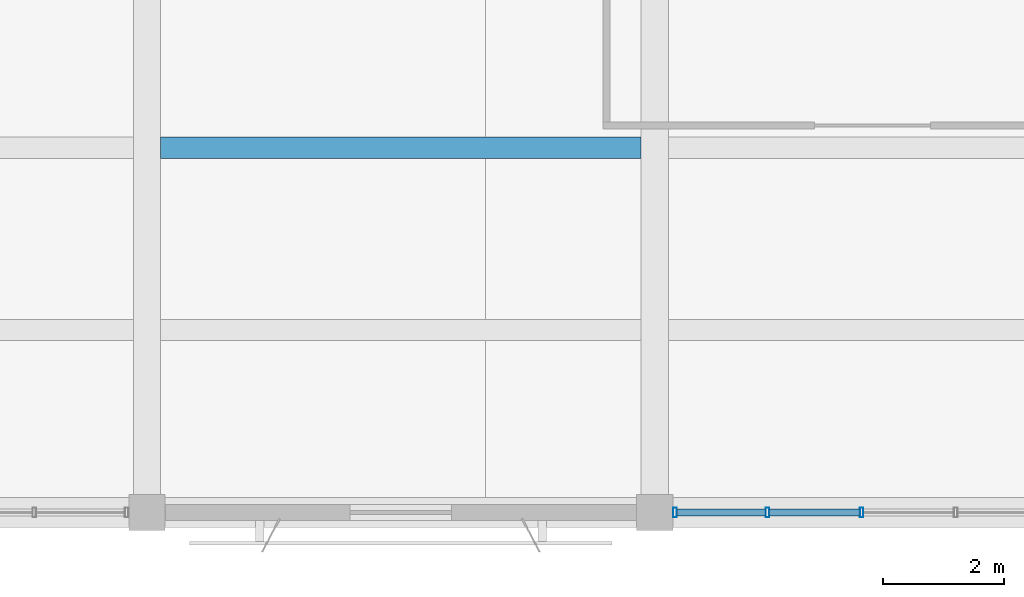
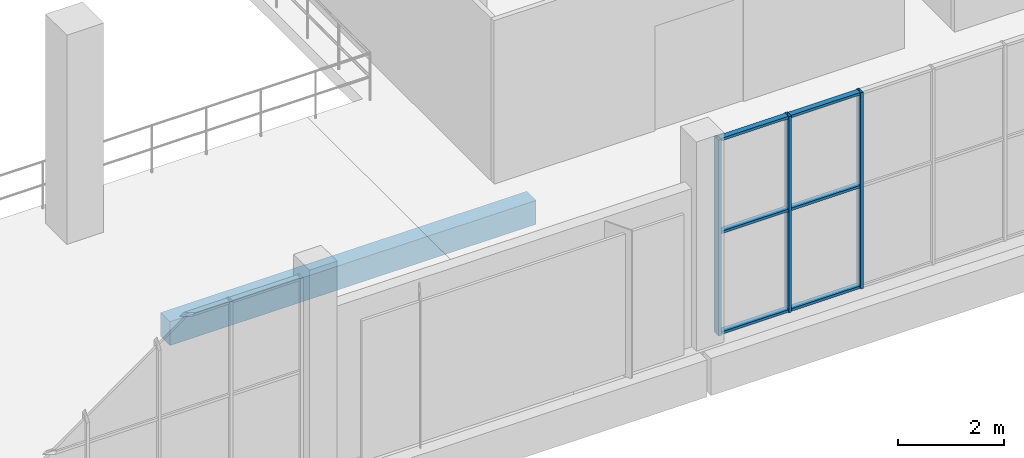
# One storey, part 16 of 80: 9 members, 1 beam, 1 element without a shape of its own.
"""IFC4 building model written with IfcOpenShell, lengths in metres."""

from ifc_helpers import new_model, si_unit, direction, frame, origin, origin_2d, place, context, subcontext, project, spatial, rectangle, hollow_rectangle, extrude, material, material_profile, profile_set, type_object, element, aggregate, save


model = new_model("IFC4")

# Units and contexts
model_context = context("Model", 3, precision=1e-05, world=origin(), true_north=direction((0.0, 1.0)))
body_context = subcontext(model_context, "Body", "Model", "MODEL_VIEW")
ifc_project = project(units=[si_unit("LENGTHUNIT", "METRE"), si_unit("AREAUNIT", "SQUARE_METRE"), si_unit("VOLUMEUNIT", "CUBIC_METRE"), si_unit("PLANEANGLEUNIT", "RADIAN"), si_unit("MASSUNIT", "GRAM", prefix="KILO")], contexts=[model_context])

# Site, building, storey
site_placement = place(None, origin())
site = spatial("IfcSite", under=ifc_project, at=site_placement, CompositionType="ELEMENT")
building_placement = place(site_placement, origin())
building = spatial("IfcBuilding", under=site, at=building_placement, Name="Khurvash Pelagic Aquarium", CompositionType="ELEMENT")
storey_placement = place(building_placement, frame((0.0, 0.0, 10.800048828125)))
storey = spatial("IfcBuildingStorey", under=building, at=storey_placement, Name="L02", CompositionType="ELEMENT", Elevation=10.800048828125)

# Curtain wall, members
ifc_material_1 = material(Name="Anodised aluminium and low-E laminated glass", Category="aluminium")
curtain_wall_type = type_object("IfcCurtainWallType", Name="CW-06", PredefinedType="USERDEFINED", material=ifc_material_1)
curtain_wall_placement = place(storey_placement, origin())
curtain_wall = element("IfcCurtainWall", 1, at=curtain_wall_placement, inside=storey, type_object=curtain_wall_type, Name="L02 Facade Unitised Curtain Wall CW-06 0155", ObjectType="UNITISED CURTAIN WALL", PredefinedType="USERDEFINED")
ifc_material_2 = material(Name="Extruded aluminium AW-6063-T6", Category="aluminium")
ifc_material_profile_1 = material_profile(ifc_material_2, hollow_rectangle(XDim=0.06005859375, YDim=0.159912109375, WallThickness=0.00390625, at=origin_2d()), Name="CWM60X160X4")
ifc_profile_set_1 = profile_set([ifc_material_profile_1], Name="Extruded aluminium AW-6063-T6")
member_type_1 = type_object("IfcMemberType", Name="CM-02", PredefinedType="MULLION", material=ifc_profile_set_1)
member_1_placement = place(storey_placement, frame((84.3349609375, 2.60009765625, 0.0), z_axis=(0.0, 0.0, 1.0), x_axis=(1.0, 0.0, 0.0)))
member_1 = element("IfcMember", 2, at=member_1_placement, type_object=member_type_1, Name="CW-06 mullion 1", PredefinedType="MULLION", context=body_context, shape_type="SweptSolid", body=[
    extrude(hollow_rectangle(XDim=0.06005859375, YDim=0.159912109375, WallThickness=0.00390625, at=origin_2d()), origin(), (0.0, 0.0, 1.0), 4.5),
])
member_2_placement = place(storey_placement, frame((85.863037109375, 2.60009765625, 0.0), z_axis=(0.0, 0.0, 1.0), x_axis=(1.0, 0.0, 0.0)))
member_2 = element("IfcMember", 3, at=member_2_placement, type_object=member_type_1, Name="CW-06 mullion 2", PredefinedType="MULLION", context=body_context, shape_type="SweptSolid", body=[
    extrude(hollow_rectangle(XDim=0.06005859375, YDim=0.159912109375, WallThickness=0.00390625, at=origin_2d()), origin(), (0.0, 0.0, 1.0), 4.5),
])
member_3_placement = place(storey_placement, frame((87.4208984375, 2.60009765625, 0.0), z_axis=(0.0, 0.0, 1.0), x_axis=(1.0, 0.0, 0.0)))
member_3 = element("IfcMember", 4, at=member_3_placement, type_object=member_type_1, Name="CW-06 mullion 3", PredefinedType="MULLION", context=body_context, shape_type="SweptSolid", body=[
    extrude(hollow_rectangle(XDim=0.06005859375, YDim=0.159912109375, WallThickness=0.00390625, at=origin_2d()), origin(), (0.0, 0.0, 1.0), 4.5),
])
ifc_material_profile_2 = material_profile(ifc_material_2, hollow_rectangle(XDim=0.1201171875, YDim=0.06005859375, WallThickness=0.00390625, at=origin_2d()), Name="CWT120X60X4")
ifc_profile_set_2 = profile_set([ifc_material_profile_2], Name="Extruded aluminium AW-6063-T6")
member_type_2 = type_object("IfcMemberType", Name="CT-02", PredefinedType="USERDEFINED", material=ifc_profile_set_2)
member_4_placement = place(storey_placement, frame((84.364990234375, 2.60009765625, 0.030029296875), z_axis=(1.0, 0.0, 0.0), x_axis=(0.0, 1.0, 0.0)))
member_4 = element("IfcMember", 5, at=member_4_placement, type_object=member_type_2, Name="CW-06 transom 1.1", ObjectType="TRANSOM", PredefinedType="USERDEFINED", context=body_context, shape_type="SweptSolid", body=[
    extrude(hollow_rectangle(XDim=0.1201171875, YDim=0.06005859375, WallThickness=0.00390625, at=origin_2d()), origin(), (0.0, 0.0, 1.0), 1.468017578125),
])
member_5_placement = place(storey_placement, frame((84.364990234375, 2.60009765625, 2.33984375), z_axis=(1.0, 0.0, 0.0), x_axis=(0.0, 1.0, 0.0)))
member_5 = element("IfcMember", 6, at=member_5_placement, type_object=member_type_2, Name="CW-06 transom 1.2", ObjectType="TRANSOM", PredefinedType="USERDEFINED", context=body_context, shape_type="SweptSolid", body=[
    extrude(hollow_rectangle(XDim=0.1201171875, YDim=0.06005859375, WallThickness=0.00390625, at=origin_2d()), origin(), (0.0, 0.0, 1.0), 1.468017578125),
])
member_6_placement = place(storey_placement, frame((84.364990234375, 2.60009765625, 4.469970703125), z_axis=(1.0, 0.0, 0.0), x_axis=(0.0, 1.0, 0.0)))
member_6 = element("IfcMember", 7, at=member_6_placement, type_object=member_type_2, Name="CW-06 transom 1.3", ObjectType="TRANSOM", PredefinedType="USERDEFINED", context=body_context, shape_type="SweptSolid", body=[
    extrude(hollow_rectangle(XDim=0.1201171875, YDim=0.06005859375, WallThickness=0.00390625, at=origin_2d()), origin(), (0.0, 0.0, 1.0), 1.468017578125),
])
member_7_placement = place(storey_placement, frame((85.89306640625, 2.60009765625, 0.030029296875), z_axis=(1.0, 0.0, 0.0), x_axis=(0.0, 1.0, 0.0)))
member_7 = element("IfcMember", 8, at=member_7_placement, type_object=member_type_2, Name="CW-06 transom 2.1", ObjectType="TRANSOM", PredefinedType="USERDEFINED", context=body_context, shape_type="SweptSolid", body=[
    extrude(hollow_rectangle(XDim=0.1201171875, YDim=0.06005859375, WallThickness=0.00390625, at=origin_2d()), origin(), (0.0, 0.0, 1.0), 1.498046875),
])
member_8_placement = place(storey_placement, frame((85.89306640625, 2.60009765625, 2.33984375), z_axis=(1.0, 0.0, 0.0), x_axis=(0.0, 1.0, 0.0)))
member_8 = element("IfcMember", 9, at=member_8_placement, type_object=member_type_2, Name="CW-06 transom 2.2", ObjectType="TRANSOM", PredefinedType="USERDEFINED", context=body_context, shape_type="SweptSolid", body=[
    extrude(hollow_rectangle(XDim=0.1201171875, YDim=0.06005859375, WallThickness=0.00390625, at=origin_2d()), origin(), (0.0, 0.0, 1.0), 1.498046875),
])
member_9_placement = place(storey_placement, frame((85.89306640625, 2.60009765625, 4.469970703125), z_axis=(1.0, 0.0, 0.0), x_axis=(0.0, 1.0, 0.0)))
member_9 = element("IfcMember", 10, at=member_9_placement, type_object=member_type_2, Name="CW-06 transom 2.3", ObjectType="TRANSOM", PredefinedType="USERDEFINED", context=body_context, shape_type="SweptSolid", body=[
    extrude(hollow_rectangle(XDim=0.1201171875, YDim=0.06005859375, WallThickness=0.00390625, at=origin_2d()), origin(), (0.0, 0.0, 1.0), 1.498046875),
])
aggregate(curtain_wall, [member_1, member_2, member_3, member_4, member_5, member_6, member_7, member_8, member_9])

# Beam
ifc_material_3 = material(Name="Concrete C35/45", Category="concrete")
ifc_material_profile_3 = material_profile(ifc_material_3, rectangle(XDim=0.35009765625, YDim=0.550048828125, at=origin_2d()), Name="RC350X550")
ifc_profile_set_3 = profile_set([ifc_material_profile_3], Name="Concrete C35/45")
beam_type = type_object("IfcBeamType", Name="JS-01", PredefinedType="JOIST", material=ifc_profile_set_3)
beam_placement = place(storey_placement, frame((75.824951171875, 8.633056640625, -0.574951171875), z_axis=(1.0, 0.0, 0.0), x_axis=(0.0, 1.0, 0.0)))
element("IfcBeam", 11, at=beam_placement, inside=storey, type_object=beam_type, Name="L02 Floor Joist JS-01 00788", PredefinedType="JOIST", context=body_context, shape_type="SweptSolid", body=[
    extrude(rectangle(XDim=0.35009765625, YDim=0.550048828125, at=origin_2d()), origin(), (0.0, 0.0, 1.0), 7.949951171875),
])

save(model, "model.ifc")
